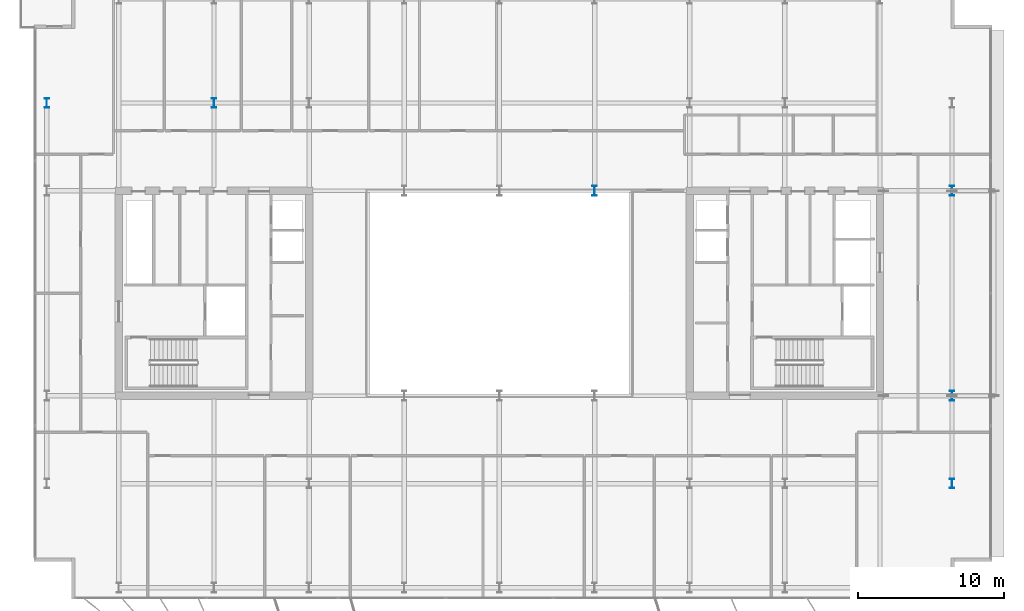
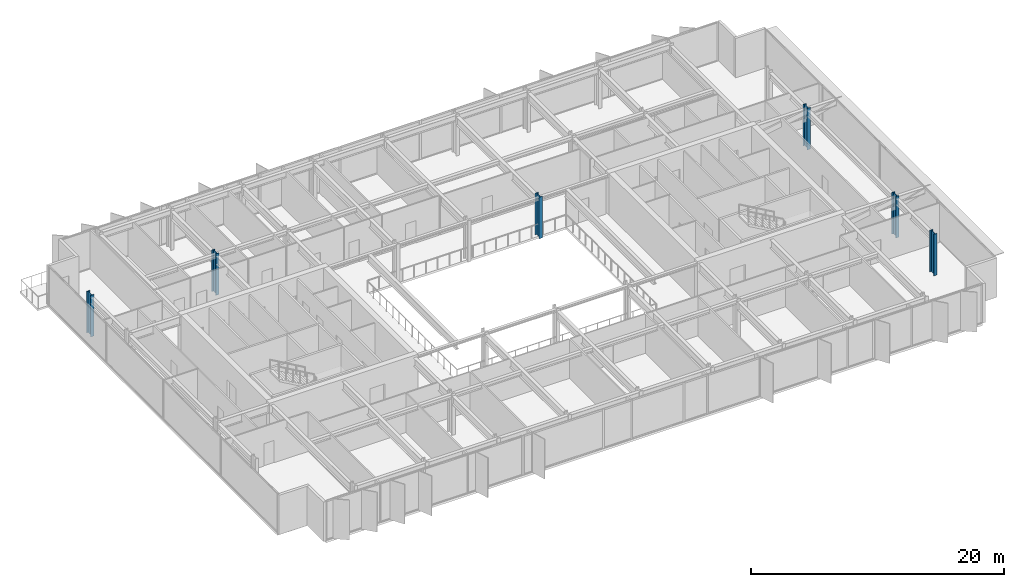
# One storey, part 2 of 20: 6 columns.
"""IFC4 building model written with IfcOpenShell, lengths in metres."""

from ifc_helpers import new_model, si_unit, direction, frame, origin, origin_2d, place, context, subcontext, project, spatial, i_section, extrude, material, material_profile, profile_set, type_object, element, save


model = new_model("IFC4")

# Units and contexts
model_context = context("Model", 3, precision=1e-05, world=origin(), true_north=direction((0.0, 1.0)))
body_context = subcontext(model_context, "Body", "Model", "MODEL_VIEW")
ifc_project = project(units=[si_unit("LENGTHUNIT", "METRE"), si_unit("AREAUNIT", "SQUARE_METRE"), si_unit("VOLUMEUNIT", "CUBIC_METRE"), si_unit("PLANEANGLEUNIT", "RADIAN"), si_unit("MASSUNIT", "GRAM", prefix="KILO")], contexts=[model_context])

# Site, building, storey
site_placement = place(None, origin())
site = spatial("IfcSite", under=ifc_project, at=site_placement, CompositionType="ELEMENT")
building_placement = place(site_placement, origin())
building = spatial("IfcBuilding", under=site, at=building_placement, Name="Putna Gate Headquarters", CompositionType="ELEMENT")
storey_placement = place(building_placement, frame((0.0, 0.0, 282.39990234375)))
storey = spatial("IfcBuildingStorey", under=building, at=storey_placement, Name="L71", CompositionType="ELEMENT", Elevation=282.39990234375)

# Columns
ifc_material = material(Name="Steel S460M", Category="steel")
ifc_material_profile_1 = material_profile(ifc_material, i_section(OverallWidth=0.304931640625, OverallDepth=0.66796875, WebThickness=0.02099609375, FlangeThickness=0.0400390625, at=origin_2d()), Name="Steel S460M")
ifc_profile_set_1 = profile_set([ifc_material_profile_1], Name="Steel S460M")
column_type_1 = type_object("IfcColumnType", Name="COL-STL-HEM650-EXT", PredefinedType="COLUMN", material=ifc_profile_set_1)
for number, where, z_axis, x_axis, name in (
    (1, (69.919921875, 13.0, 0.0), (0.0, 0.0, 1.0), (1.0, 0.0, 0.0), "L71 Column CP-E13"),
    (2, (69.919921875, 19.0, 0.0), (0.0, 0.0, 1.0), (1.0, 0.0, 0.0), "L71 Column CP-E19"),
    (3, (69.919921875, 33.0, 0.0), (0.0, 0.0, 1.0), (1.0, 0.0, 0.0), "L71 Column CP-E33"),
    (4, (8.080078125, 39.0, 0.0), (0.0, 0.0, 1.0), (1.0, 0.0, 0.0), "L71 Column CP-W39"),
):
    element("IfcColumn", number, at=place(storey_placement, frame(where, z_axis=z_axis, x_axis=x_axis)), inside=storey, type_object=column_type_1, Name=name, PredefinedType="COLUMN", context=body_context, shape_type="SweptSolid", body=[
        extrude(i_section(OverallWidth=0.304931640625, OverallDepth=0.66796875, WebThickness=0.02099609375, FlangeThickness=0.0400390625, at=origin_2d()), origin(), (0.0, 0.0, 1.0), 4.0),
    ])
ifc_material_profile_2 = material_profile(ifc_material, i_section(OverallWidth=0.304931640625, OverallDepth=0.66796875, WebThickness=0.02099609375, FlangeThickness=0.0400390625, at=origin_2d()), Name="Steel S460M")
ifc_profile_set_2 = profile_set([ifc_material_profile_2], Name="Steel S460M")
column_type_2 = type_object("IfcColumnType", Name="COL-STL-HEM650-INT", PredefinedType="COLUMN", material=ifc_profile_set_2)
for number, where, z_axis, x_axis, name in (
    (5, (19.5, 39.0, 0.0), (0.0, 0.0, 1.0), (1.0, 0.0, 0.0), "L71 Column CSI-WN"),
    (6, (45.5, 33.0, 0.0), (0.0, 0.0, 1.0), (1.0, 0.0, 0.0), "L71 Column CAI-N45"),
):
    element("IfcColumn", number, at=place(storey_placement, frame(where, z_axis=z_axis, x_axis=x_axis)), inside=storey, type_object=column_type_2, Name=name, PredefinedType="COLUMN", context=body_context, shape_type="SweptSolid", body=[
        extrude(i_section(OverallWidth=0.304931640625, OverallDepth=0.66796875, WebThickness=0.02099609375, FlangeThickness=0.0400390625, at=origin_2d()), origin(), (0.0, 0.0, 1.0), 4.0),
    ])

save(model, "model.ifc")
